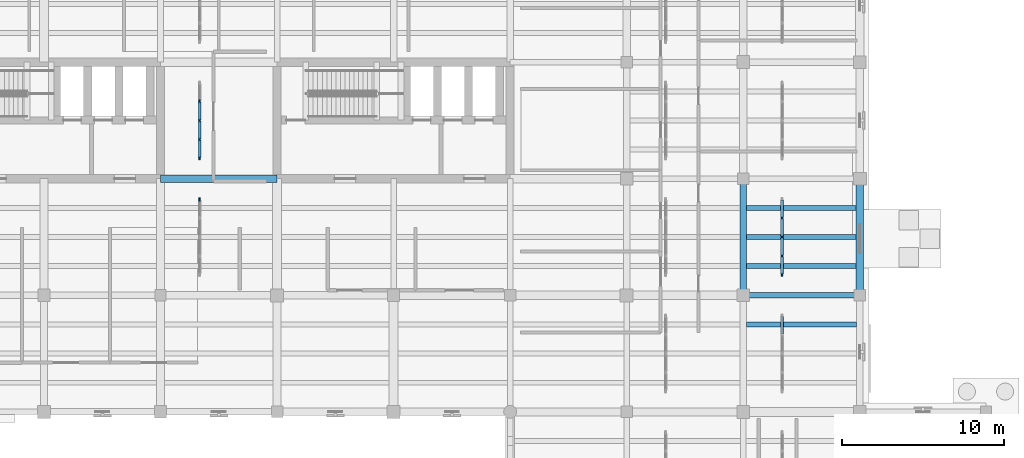
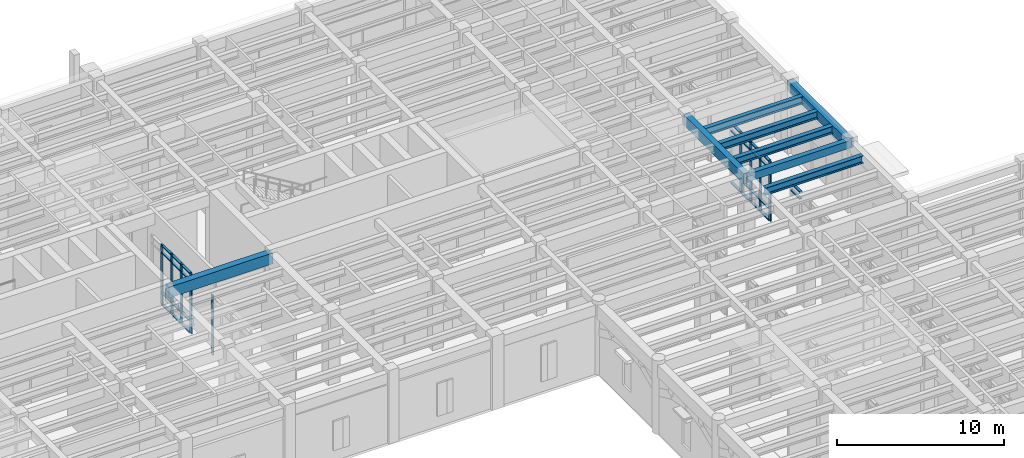
# One storey, part 45 of 100: 39 members, 8 beams, 4 elements without a shape of their own.
"""IFC4 building model written with IfcOpenShell, lengths in metres."""

from ifc_helpers import new_model, si_unit, direction, frame, origin, origin_2d, place, context, subcontext, project, spatial, rectangle, i_section, extrude, material, material_profile, profile_set, type_object, element, aggregate, save


model = new_model("IFC4")

# Units and contexts
model_context = context("Model", 3, precision=1e-05, world=origin(), true_north=direction((0.0, 1.0)))
body_context = subcontext(model_context, "Body", "Model", "MODEL_VIEW")
ifc_project = project(units=[si_unit("LENGTHUNIT", "METRE"), si_unit("AREAUNIT", "SQUARE_METRE"), si_unit("VOLUMEUNIT", "CUBIC_METRE"), si_unit("PLANEANGLEUNIT", "RADIAN"), si_unit("MASSUNIT", "GRAM", prefix="KILO")], contexts=[model_context])

# Site, building, storey
site_placement = place(None, origin())
site = spatial("IfcSite", under=ifc_project, at=site_placement, CompositionType="ELEMENT")
building_placement = place(site_placement, origin())
building = spatial("IfcBuilding", under=site, at=building_placement, Name="Mithqara Police Headquarters", CompositionType="ELEMENT")
storey_placement = place(building_placement, origin())
storey = spatial("IfcBuildingStorey", under=building, at=storey_placement, Name="L00", CompositionType="ELEMENT", Elevation=0.0)

# Beams
ifc_material_1 = material(Name="Steel S355JR", Category="steel")
ifc_material_profile_1 = material_profile(ifc_material_1, i_section(OverallWidth=0.300048828125, OverallDepth=0.550048828125, WebThickness=0.014892578125, FlangeThickness=0.029052734375, FilletRadius=0.027099609375, at=origin_2d()), Name="HEB 550")
ifc_profile_set_1 = profile_set([ifc_material_profile_1], Name="Steel S355JR")
beam_type_1 = type_object("IfcBeamType", Name="BEAM HEB550", PredefinedType="BEAM", material=ifc_profile_set_1)
beam_1_placement = place(storey_placement, frame((159.199951171875, 84.0, 4.844970703125), z_axis=(1.0, 0.0, 0.0), x_axis=(0.0, 1.0, 0.0)))
element("IfcBeam", 1, at=beam_1_placement, inside=storey, type_object=beam_type_1, Name="L00 Composite Steel Joist 23-24/M.3", PredefinedType="BEAM", context=body_context, shape_type="SweptSolid", body=[
    extrude(i_section(OverallWidth=0.300048828125, OverallDepth=0.550048828125, WebThickness=0.014892578125, FlangeThickness=0.029052734375, FilletRadius=0.027099609375, at=origin_2d()), origin(), (0.0, 0.0, 1.0), 6.800048828125),
])
for number, where, z_axis, x_axis, name in (
    (2, (159.199951171875, 87.60009765625, 4.844970703125), (1.0, 0.0, 0.0), (0.0, 1.0, 0.0), "L00 Composite Steel Joist 23-24/N.1"),
    (3, (159.199951171875, 89.39990234375, 4.844970703125), (1.0, 0.0, 0.0), (0.0, 1.0, 0.0), "L00 Composite Steel Joist 23-24/N.2"),
    (4, (159.199951171875, 91.199951171875, 4.844970703125), (1.0, 0.0, 0.0), (0.0, 1.0, 0.0), "L00 Composite Steel Joist 23-24/N.3"),
):
    element("IfcBeam", number, at=place(storey_placement, frame(where, z_axis=z_axis, x_axis=x_axis)), inside=storey, type_object=beam_type_1, Name=name, PredefinedType="BEAM", context=body_context, shape_type="SweptSolid", body=[
        extrude(i_section(OverallWidth=0.300048828125, OverallDepth=0.550048828125, WebThickness=0.014892578125, FlangeThickness=0.029052734375, FilletRadius=0.027099609375, at=origin_2d()), origin(), (0.0, 0.0, 1.0), 6.775146484375),
    ])
ifc_material_2 = material(Name="Concrete C40/50", Category="concrete")
ifc_material_profile_2 = material_profile(ifc_material_2, rectangle(XDim=0.35009765625, YDim=0.550048828125, at=origin_2d()), Name="RC 350x550")
ifc_profile_set_2 = profile_set([ifc_material_profile_2], Name="Concrete C40/50")
beam_type_2 = type_object("IfcBeamType", Name="BEAM RC350X550", PredefinedType="BEAM", material=ifc_profile_set_2)
beam_2_placement = place(storey_placement, frame((159.0, 85.800048828125, 4.844970703125), z_axis=(1.0, 0.0, 0.0), x_axis=(0.0, 1.0, 0.0)))
element("IfcBeam", 5, at=beam_2_placement, inside=storey, type_object=beam_type_2, Name="L00 Girder 23-24/N", PredefinedType="BEAM", context=body_context, shape_type="SweptSolid", body=[
    extrude(rectangle(XDim=0.35009765625, YDim=0.550048828125, at=origin_2d()), origin(), (0.0, 0.0, 1.0), 7.199951171875),
])
ifc_material_profile_3 = material_profile(ifc_material_2, rectangle(XDim=0.39990234375, YDim=0.75, at=origin_2d()), Name="RC 400x750")
ifc_profile_set_3 = profile_set([ifc_material_profile_3], Name="Concrete C40/50")
beam_type_3 = type_object("IfcBeamType", Name="BEAM RC400X750", PredefinedType="BEAM", material=ifc_profile_set_3)
beam_3_placement = place(storey_placement, frame((159.0, 85.800048828125, 4.7451171875), z_axis=(0.0, 1.0, 0.0), x_axis=(-1.0, 0.0, 0.0)))
element("IfcBeam", 6, at=beam_3_placement, inside=storey, type_object=beam_type_3, Name="L00 Girder 23/N-P", PredefinedType="BEAM", context=body_context, shape_type="SweptSolid", body=[
    extrude(rectangle(XDim=0.39990234375, YDim=0.75, at=origin_2d()), origin(), (0.0, 0.0, 1.0), 7.199951171875),
])
ifc_material_profile_4 = material_profile(ifc_material_2, rectangle(XDim=0.449951171875, YDim=0.699951171875, at=origin_2d()), Name="RC 450x700")
ifc_profile_set_4 = profile_set([ifc_material_profile_4], Name="Concrete C40/50")
beam_type_4 = type_object("IfcBeamType", Name="BEAM RC450X700", PredefinedType="BEAM", material=ifc_profile_set_4)
beam_4_placement = place(storey_placement, frame((166.199951171875, 85.800048828125, 4.77001953125), z_axis=(0.0, 1.0, 0.0), x_axis=(-1.0, 0.0, 0.0)))
element("IfcBeam", 7, at=beam_4_placement, inside=storey, type_object=beam_type_4, Name="L00 Girder 24/N-P", PredefinedType="BEAM", context=body_context, shape_type="SweptSolid", body=[
    extrude(rectangle(XDim=0.449951171875, YDim=0.699951171875, at=origin_2d()), origin(), (0.0, 0.0, 1.0), 7.199951171875),
])
ifc_material_profile_5 = material_profile(ifc_material_2, rectangle(XDim=0.449951171875, YDim=0.800048828125, at=origin_2d()), Name="RC 450x800")
ifc_profile_set_5 = profile_set([ifc_material_profile_5], Name="Concrete C40/50")
beam_type_5 = type_object("IfcBeamType", Name="BEAM RC450X800", PredefinedType="BEAM", material=ifc_profile_set_5)
beam_5_placement = place(storey_placement, frame((123.0, 93.0, 4.719970703125), z_axis=(1.0, 0.0, 0.0), x_axis=(0.0, 1.0, 0.0)))
element("IfcBeam", 8, at=beam_5_placement, inside=storey, type_object=beam_type_5, Name="L00 Girder 18-19/P", PredefinedType="BEAM", context=body_context, shape_type="SweptSolid", body=[
    extrude(rectangle(XDim=0.449951171875, YDim=0.800048828125, at=origin_2d()), origin(), (0.0, 0.0, 1.0), 7.199951171875),
])

# Curtain wall, member
ifc_material_3 = material(Name="Bronze anodised aluminium 6063-T6", Category="aluminium")
curtain_wall_type = type_object("IfcCurtainWallType", Name="CURTAIN WALL 4700X4400", PredefinedType="USERDEFINED", material=ifc_material_3)
curtain_wall_1_placement = place(storey_placement, origin())
curtain_wall_1 = element("IfcCurtainWall", 9, at=curtain_wall_1_placement, inside=storey, type_object=curtain_wall_type, Name="L00 Unitised Glazing CW-14 (CW-INT-L00-X17-Y12-0)", ObjectType="UNITISED GLAZING", PredefinedType="USERDEFINED")
ifc_material_profile_6 = material_profile(ifc_material_3, rectangle(XDim=0.074951171875, YDim=0.219970703125, at=origin_2d()), Name="CWM 75x220")
ifc_profile_set_6 = profile_set([ifc_material_profile_6], Name="Bronze anodised aluminium 6063-T6")
member_type_1 = type_object("IfcMemberType", Name="CWMULLION 75X220", PredefinedType="MULLION", material=ifc_profile_set_6)
member_1_placement = place(storey_placement, frame((125.39990234375, 91.71240234375, 0.0), z_axis=(0.0, 0.0, 1.0), x_axis=(-1.0, 0.0, 0.0)))
member_1 = element("IfcMember", 10, at=member_1_placement, type_object=member_type_1, Name="CW-14 mullion 5", PredefinedType="MULLION", context=body_context, shape_type="SweptSolid", body=[
    extrude(rectangle(XDim=0.074951171875, YDim=0.219970703125, at=origin_2d()), origin(), (0.0, 0.0, 1.0), 4.39990234375),
])
aggregate(curtain_wall_1, [member_1])

# Curtain wall, members
curtain_wall_2_placement = place(storey_placement, origin())
curtain_wall_2 = element("IfcCurtainWall", 11, at=curtain_wall_2_placement, inside=storey, type_object=curtain_wall_type, Name="L00 Unitised Glazing CW-14 (CW-INT-L00-X17-Y13-0)", ObjectType="UNITISED GLAZING", PredefinedType="USERDEFINED")
member_2_placement = place(storey_placement, frame((125.39990234375, 94.28759765625, 0.0), z_axis=(0.0, 0.0, 1.0), x_axis=(-1.0, 0.0, 0.0)))
member_2 = element("IfcMember", 12, at=member_2_placement, type_object=member_type_1, Name="CW-14 mullion 1", PredefinedType="MULLION", context=body_context, shape_type="SweptSolid", body=[
    extrude(rectangle(XDim=0.074951171875, YDim=0.219970703125, at=origin_2d()), origin(), (0.0, 0.0, 1.0), 4.39990234375),
])
member_3_placement = place(storey_placement, frame((125.39990234375, 95.425048828125, 0.0), z_axis=(0.0, 0.0, 1.0), x_axis=(-1.0, 0.0, 0.0)))
member_3 = element("IfcMember", 13, at=member_3_placement, type_object=member_type_1, Name="CW-14 mullion 2", PredefinedType="MULLION", context=body_context, shape_type="SweptSolid", body=[
    extrude(rectangle(XDim=0.074951171875, YDim=0.219970703125, at=origin_2d()), origin(), (0.0, 0.0, 1.0), 4.39990234375),
])
member_4_placement = place(storey_placement, frame((125.39990234375, 96.60009765625, 0.0), z_axis=(0.0, 0.0, 1.0), x_axis=(-1.0, 0.0, 0.0)))
member_4 = element("IfcMember", 14, at=member_4_placement, type_object=member_type_1, Name="CW-14 mullion 3", PredefinedType="MULLION", context=body_context, shape_type="SweptSolid", body=[
    extrude(rectangle(XDim=0.074951171875, YDim=0.219970703125, at=origin_2d()), origin(), (0.0, 0.0, 1.0), 4.39990234375),
])
member_5_placement = place(storey_placement, frame((125.39990234375, 97.77490234375, 0.0), z_axis=(0.0, 0.0, 1.0), x_axis=(-1.0, 0.0, 0.0)))
member_5 = element("IfcMember", 15, at=member_5_placement, type_object=member_type_1, Name="CW-14 mullion 4", PredefinedType="MULLION", context=body_context, shape_type="SweptSolid", body=[
    extrude(rectangle(XDim=0.074951171875, YDim=0.219970703125, at=origin_2d()), origin(), (0.0, 0.0, 1.0), 4.39990234375),
])

curtain_wall_3_placement = place(storey_placement, origin())
curtain_wall_3 = element("IfcCurtainWall", 16, at=curtain_wall_3_placement, inside=storey, type_object=curtain_wall_type, Name="L00 Unitised Glazing CW-14 (CW-INT-L00-X22-Y12-0)", ObjectType="UNITISED GLAZING", PredefinedType="USERDEFINED")
member_6_placement = place(storey_placement, frame((161.39990234375, 87.08740234375, 0.0), z_axis=(0.0, 0.0, 1.0), x_axis=(-1.0, 0.0, 0.0)))
member_6 = element("IfcMember", 17, at=member_6_placement, type_object=member_type_1, Name="CW-14 mullion 1", PredefinedType="MULLION", context=body_context, shape_type="SweptSolid", body=[
    extrude(rectangle(XDim=0.074951171875, YDim=0.219970703125, at=origin_2d()), origin(), (0.0, 0.0, 1.0), 4.39990234375),
])
member_7_placement = place(storey_placement, frame((161.39990234375, 88.22509765625, 0.0), z_axis=(0.0, 0.0, 1.0), x_axis=(-1.0, 0.0, 0.0)))
member_7 = element("IfcMember", 18, at=member_7_placement, type_object=member_type_1, Name="CW-14 mullion 2", PredefinedType="MULLION", context=body_context, shape_type="SweptSolid", body=[
    extrude(rectangle(XDim=0.074951171875, YDim=0.219970703125, at=origin_2d()), origin(), (0.0, 0.0, 1.0), 4.39990234375),
])
member_8_placement = place(storey_placement, frame((161.39990234375, 89.39990234375, 0.0), z_axis=(0.0, 0.0, 1.0), x_axis=(-1.0, 0.0, 0.0)))
member_8 = element("IfcMember", 19, at=member_8_placement, type_object=member_type_1, Name="CW-14 mullion 3", PredefinedType="MULLION", context=body_context, shape_type="SweptSolid", body=[
    extrude(rectangle(XDim=0.074951171875, YDim=0.219970703125, at=origin_2d()), origin(), (0.0, 0.0, 1.0), 4.39990234375),
])
member_9_placement = place(storey_placement, frame((161.39990234375, 90.574951171875, 0.0), z_axis=(0.0, 0.0, 1.0), x_axis=(-1.0, 0.0, 0.0)))
member_9 = element("IfcMember", 20, at=member_9_placement, type_object=member_type_1, Name="CW-14 mullion 4", PredefinedType="MULLION", context=body_context, shape_type="SweptSolid", body=[
    extrude(rectangle(XDim=0.074951171875, YDim=0.219970703125, at=origin_2d()), origin(), (0.0, 0.0, 1.0), 4.39990234375),
])

# Member
ifc_material_profile_7 = material_profile(ifc_material_3, rectangle(XDim=0.179931640625, YDim=0.074951171875, at=origin_2d()), Name="CWT 180x75")
ifc_profile_set_7 = profile_set([ifc_material_profile_7], Name="Bronze anodised aluminium 6063-T6")
member_type_2 = type_object("IfcMemberType", Name="CWTRANSOM 180X75", PredefinedType="USERDEFINED", material=ifc_profile_set_7)
member_10_placement = place(storey_placement, frame((125.39990234375, 94.324951171875, 0.03759765625), z_axis=(0.0, 1.0, 0.0), x_axis=(-1.0, 0.0, 0.0)))
member_10 = element("IfcMember", 21, at=member_10_placement, type_object=member_type_2, Name="CW-14 transom 1.1", ObjectType="TRANSOM", PredefinedType="USERDEFINED", context=body_context, shape_type="SweptSolid", body=[
    extrude(rectangle(XDim=0.179931640625, YDim=0.074951171875, at=origin_2d()), origin(), (0.0, 0.0, 1.0), 1.0625),
])

member_11_placement = place(storey_placement, frame((125.39990234375, 94.324951171875, 0.89990234375), z_axis=(0.0, 1.0, 0.0), x_axis=(-1.0, 0.0, 0.0)))
member_11 = element("IfcMember", 22, at=member_11_placement, type_object=member_type_2, Name="CW-14 transom 1.2", ObjectType="TRANSOM", PredefinedType="USERDEFINED", context=body_context, shape_type="SweptSolid", body=[
    extrude(rectangle(XDim=0.179931640625, YDim=0.074951171875, at=origin_2d()), origin(), (0.0, 0.0, 1.0), 1.0625),
])

member_12_placement = place(storey_placement, frame((125.39990234375, 94.324951171875, 3.85009765625), z_axis=(0.0, 1.0, 0.0), x_axis=(-1.0, 0.0, 0.0)))
member_12 = element("IfcMember", 23, at=member_12_placement, type_object=member_type_2, Name="CW-14 transom 1.3", ObjectType="TRANSOM", PredefinedType="USERDEFINED", context=body_context, shape_type="SweptSolid", body=[
    extrude(rectangle(XDim=0.179931640625, YDim=0.074951171875, at=origin_2d()), origin(), (0.0, 0.0, 1.0), 1.0625),
])

member_13_placement = place(storey_placement, frame((125.39990234375, 94.324951171875, 4.362548828125), z_axis=(0.0, 1.0, 0.0), x_axis=(-1.0, 0.0, 0.0)))
member_13 = element("IfcMember", 24, at=member_13_placement, type_object=member_type_2, Name="CW-14 transom 1.4", ObjectType="TRANSOM", PredefinedType="USERDEFINED", context=body_context, shape_type="SweptSolid", body=[
    extrude(rectangle(XDim=0.179931640625, YDim=0.074951171875, at=origin_2d()), origin(), (0.0, 0.0, 1.0), 1.0625),
])

member_14_placement = place(storey_placement, frame((125.39990234375, 95.46240234375, 0.03759765625), z_axis=(0.0, 1.0, 0.0), x_axis=(-1.0, 0.0, 0.0)))
member_14 = element("IfcMember", 25, at=member_14_placement, type_object=member_type_2, Name="CW-14 transom 2.1", ObjectType="TRANSOM", PredefinedType="USERDEFINED", context=body_context, shape_type="SweptSolid", body=[
    extrude(rectangle(XDim=0.179931640625, YDim=0.074951171875, at=origin_2d()), origin(), (0.0, 0.0, 1.0), 1.10009765625),
])

member_15_placement = place(storey_placement, frame((125.39990234375, 95.46240234375, 0.89990234375), z_axis=(0.0, 1.0, 0.0), x_axis=(-1.0, 0.0, 0.0)))
member_15 = element("IfcMember", 26, at=member_15_placement, type_object=member_type_2, Name="CW-14 transom 2.2", ObjectType="TRANSOM", PredefinedType="USERDEFINED", context=body_context, shape_type="SweptSolid", body=[
    extrude(rectangle(XDim=0.179931640625, YDim=0.074951171875, at=origin_2d()), origin(), (0.0, 0.0, 1.0), 1.10009765625),
])

member_16_placement = place(storey_placement, frame((125.39990234375, 95.46240234375, 3.85009765625), z_axis=(0.0, 1.0, 0.0), x_axis=(-1.0, 0.0, 0.0)))
member_16 = element("IfcMember", 27, at=member_16_placement, type_object=member_type_2, Name="CW-14 transom 2.3", ObjectType="TRANSOM", PredefinedType="USERDEFINED", context=body_context, shape_type="SweptSolid", body=[
    extrude(rectangle(XDim=0.179931640625, YDim=0.074951171875, at=origin_2d()), origin(), (0.0, 0.0, 1.0), 1.10009765625),
])

member_17_placement = place(storey_placement, frame((125.39990234375, 95.46240234375, 4.362548828125), z_axis=(0.0, 1.0, 0.0), x_axis=(-1.0, 0.0, 0.0)))
member_17 = element("IfcMember", 28, at=member_17_placement, type_object=member_type_2, Name="CW-14 transom 2.4", ObjectType="TRANSOM", PredefinedType="USERDEFINED", context=body_context, shape_type="SweptSolid", body=[
    extrude(rectangle(XDim=0.179931640625, YDim=0.074951171875, at=origin_2d()), origin(), (0.0, 0.0, 1.0), 1.10009765625),
])

member_18_placement = place(storey_placement, frame((125.39990234375, 96.637451171875, 0.03759765625), z_axis=(0.0, 1.0, 0.0), x_axis=(-1.0, 0.0, 0.0)))
member_18 = element("IfcMember", 29, at=member_18_placement, type_object=member_type_2, Name="CW-14 transom 3.1", ObjectType="TRANSOM", PredefinedType="USERDEFINED", context=body_context, shape_type="SweptSolid", body=[
    extrude(rectangle(XDim=0.179931640625, YDim=0.074951171875, at=origin_2d()), origin(), (0.0, 0.0, 1.0), 1.10009765625),
])

member_19_placement = place(storey_placement, frame((125.39990234375, 96.637451171875, 0.89990234375), z_axis=(0.0, 1.0, 0.0), x_axis=(-1.0, 0.0, 0.0)))
member_19 = element("IfcMember", 30, at=member_19_placement, type_object=member_type_2, Name="CW-14 transom 3.2", ObjectType="TRANSOM", PredefinedType="USERDEFINED", context=body_context, shape_type="SweptSolid", body=[
    extrude(rectangle(XDim=0.179931640625, YDim=0.074951171875, at=origin_2d()), origin(), (0.0, 0.0, 1.0), 1.10009765625),
])

member_20_placement = place(storey_placement, frame((125.39990234375, 96.637451171875, 3.85009765625), z_axis=(0.0, 1.0, 0.0), x_axis=(-1.0, 0.0, 0.0)))
member_20 = element("IfcMember", 31, at=member_20_placement, type_object=member_type_2, Name="CW-14 transom 3.3", ObjectType="TRANSOM", PredefinedType="USERDEFINED", context=body_context, shape_type="SweptSolid", body=[
    extrude(rectangle(XDim=0.179931640625, YDim=0.074951171875, at=origin_2d()), origin(), (0.0, 0.0, 1.0), 1.10009765625),
])

member_21_placement = place(storey_placement, frame((125.39990234375, 96.637451171875, 4.362548828125), z_axis=(0.0, 1.0, 0.0), x_axis=(-1.0, 0.0, 0.0)))
member_21 = element("IfcMember", 32, at=member_21_placement, type_object=member_type_2, Name="CW-14 transom 3.4", ObjectType="TRANSOM", PredefinedType="USERDEFINED", context=body_context, shape_type="SweptSolid", body=[
    extrude(rectangle(XDim=0.179931640625, YDim=0.074951171875, at=origin_2d()), origin(), (0.0, 0.0, 1.0), 1.10009765625),
])

aggregate(curtain_wall_2, [member_2, member_3, member_4, member_5, member_10, member_11, member_12, member_13, member_14, member_15, member_16, member_17, member_18, member_19, member_20, member_21])

# Curtain wall, members
curtain_wall_4_placement = place(storey_placement, origin())
curtain_wall_4 = element("IfcCurtainWall", 33, at=curtain_wall_4_placement, inside=storey, type_object=curtain_wall_type, Name="L00 Unitised Glazing CW-14 (CW-INT-L00-X22-Y11-0)", ObjectType="UNITISED GLAZING", PredefinedType="USERDEFINED")
member_22_placement = place(storey_placement, frame((161.39990234375, 83.41259765625, 3.85009765625), z_axis=(0.0, 1.0, 0.0), x_axis=(-1.0, 0.0, 0.0)))
member_22 = element("IfcMember", 34, at=member_22_placement, type_object=member_type_2, Name="CW-14 transom 4.3", ObjectType="TRANSOM", PredefinedType="USERDEFINED", context=body_context, shape_type="SweptSolid", body=[
    extrude(rectangle(XDim=0.179931640625, YDim=0.074951171875, at=origin_2d()), origin(), (0.0, 0.0, 1.0), 1.0625),
])
member_23_placement = place(storey_placement, frame((161.39990234375, 83.41259765625, 4.362548828125), z_axis=(0.0, 1.0, 0.0), x_axis=(-1.0, 0.0, 0.0)))
member_23 = element("IfcMember", 35, at=member_23_placement, type_object=member_type_2, Name="CW-14 transom 4.4", ObjectType="TRANSOM", PredefinedType="USERDEFINED", context=body_context, shape_type="SweptSolid", body=[
    extrude(rectangle(XDim=0.179931640625, YDim=0.074951171875, at=origin_2d()), origin(), (0.0, 0.0, 1.0), 1.0625),
])
aggregate(curtain_wall_4, [member_22, member_23])

# Member
member_24_placement = place(storey_placement, frame((161.39990234375, 87.125, 0.03759765625), z_axis=(0.0, 1.0, 0.0), x_axis=(-1.0, 0.0, 0.0)))
member_24 = element("IfcMember", 36, at=member_24_placement, type_object=member_type_2, Name="CW-14 transom 1.1", ObjectType="TRANSOM", PredefinedType="USERDEFINED", context=body_context, shape_type="SweptSolid", body=[
    extrude(rectangle(XDim=0.179931640625, YDim=0.074951171875, at=origin_2d()), origin(), (0.0, 0.0, 1.0), 1.0625),
])

member_25_placement = place(storey_placement, frame((161.39990234375, 87.125, 0.89990234375), z_axis=(0.0, 1.0, 0.0), x_axis=(-1.0, 0.0, 0.0)))
member_25 = element("IfcMember", 37, at=member_25_placement, type_object=member_type_2, Name="CW-14 transom 1.2", ObjectType="TRANSOM", PredefinedType="USERDEFINED", context=body_context, shape_type="SweptSolid", body=[
    extrude(rectangle(XDim=0.179931640625, YDim=0.074951171875, at=origin_2d()), origin(), (0.0, 0.0, 1.0), 1.0625),
])

member_26_placement = place(storey_placement, frame((161.39990234375, 87.125, 3.85009765625), z_axis=(0.0, 1.0, 0.0), x_axis=(-1.0, 0.0, 0.0)))
member_26 = element("IfcMember", 38, at=member_26_placement, type_object=member_type_2, Name="CW-14 transom 1.3", ObjectType="TRANSOM", PredefinedType="USERDEFINED", context=body_context, shape_type="SweptSolid", body=[
    extrude(rectangle(XDim=0.179931640625, YDim=0.074951171875, at=origin_2d()), origin(), (0.0, 0.0, 1.0), 1.0625),
])

member_27_placement = place(storey_placement, frame((161.39990234375, 87.125, 4.362548828125), z_axis=(0.0, 1.0, 0.0), x_axis=(-1.0, 0.0, 0.0)))
member_27 = element("IfcMember", 39, at=member_27_placement, type_object=member_type_2, Name="CW-14 transom 1.4", ObjectType="TRANSOM", PredefinedType="USERDEFINED", context=body_context, shape_type="SweptSolid", body=[
    extrude(rectangle(XDim=0.179931640625, YDim=0.074951171875, at=origin_2d()), origin(), (0.0, 0.0, 1.0), 1.0625),
])

member_28_placement = place(storey_placement, frame((161.39990234375, 88.262451171875, 0.03759765625), z_axis=(0.0, 1.0, 0.0), x_axis=(-1.0, 0.0, 0.0)))
member_28 = element("IfcMember", 40, at=member_28_placement, type_object=member_type_2, Name="CW-14 transom 2.1", ObjectType="TRANSOM", PredefinedType="USERDEFINED", context=body_context, shape_type="SweptSolid", body=[
    extrude(rectangle(XDim=0.179931640625, YDim=0.074951171875, at=origin_2d()), origin(), (0.0, 0.0, 1.0), 1.10009765625),
])

member_29_placement = place(storey_placement, frame((161.39990234375, 88.262451171875, 0.89990234375), z_axis=(0.0, 1.0, 0.0), x_axis=(-1.0, 0.0, 0.0)))
member_29 = element("IfcMember", 41, at=member_29_placement, type_object=member_type_2, Name="CW-14 transom 2.2", ObjectType="TRANSOM", PredefinedType="USERDEFINED", context=body_context, shape_type="SweptSolid", body=[
    extrude(rectangle(XDim=0.179931640625, YDim=0.074951171875, at=origin_2d()), origin(), (0.0, 0.0, 1.0), 1.10009765625),
])

member_30_placement = place(storey_placement, frame((161.39990234375, 88.262451171875, 3.85009765625), z_axis=(0.0, 1.0, 0.0), x_axis=(-1.0, 0.0, 0.0)))
member_30 = element("IfcMember", 42, at=member_30_placement, type_object=member_type_2, Name="CW-14 transom 2.3", ObjectType="TRANSOM", PredefinedType="USERDEFINED", context=body_context, shape_type="SweptSolid", body=[
    extrude(rectangle(XDim=0.179931640625, YDim=0.074951171875, at=origin_2d()), origin(), (0.0, 0.0, 1.0), 1.10009765625),
])

member_31_placement = place(storey_placement, frame((161.39990234375, 88.262451171875, 4.362548828125), z_axis=(0.0, 1.0, 0.0), x_axis=(-1.0, 0.0, 0.0)))
member_31 = element("IfcMember", 43, at=member_31_placement, type_object=member_type_2, Name="CW-14 transom 2.4", ObjectType="TRANSOM", PredefinedType="USERDEFINED", context=body_context, shape_type="SweptSolid", body=[
    extrude(rectangle(XDim=0.179931640625, YDim=0.074951171875, at=origin_2d()), origin(), (0.0, 0.0, 1.0), 1.10009765625),
])

member_32_placement = place(storey_placement, frame((161.39990234375, 89.4375, 0.03759765625), z_axis=(0.0, 1.0, 0.0), x_axis=(-1.0, 0.0, 0.0)))
member_32 = element("IfcMember", 44, at=member_32_placement, type_object=member_type_2, Name="CW-14 transom 3.1", ObjectType="TRANSOM", PredefinedType="USERDEFINED", context=body_context, shape_type="SweptSolid", body=[
    extrude(rectangle(XDim=0.179931640625, YDim=0.074951171875, at=origin_2d()), origin(), (0.0, 0.0, 1.0), 1.10009765625),
])

member_33_placement = place(storey_placement, frame((161.39990234375, 89.4375, 0.89990234375), z_axis=(0.0, 1.0, 0.0), x_axis=(-1.0, 0.0, 0.0)))
member_33 = element("IfcMember", 45, at=member_33_placement, type_object=member_type_2, Name="CW-14 transom 3.2", ObjectType="TRANSOM", PredefinedType="USERDEFINED", context=body_context, shape_type="SweptSolid", body=[
    extrude(rectangle(XDim=0.179931640625, YDim=0.074951171875, at=origin_2d()), origin(), (0.0, 0.0, 1.0), 1.10009765625),
])

member_34_placement = place(storey_placement, frame((161.39990234375, 89.4375, 3.85009765625), z_axis=(0.0, 1.0, 0.0), x_axis=(-1.0, 0.0, 0.0)))
member_34 = element("IfcMember", 46, at=member_34_placement, type_object=member_type_2, Name="CW-14 transom 3.3", ObjectType="TRANSOM", PredefinedType="USERDEFINED", context=body_context, shape_type="SweptSolid", body=[
    extrude(rectangle(XDim=0.179931640625, YDim=0.074951171875, at=origin_2d()), origin(), (0.0, 0.0, 1.0), 1.10009765625),
])

member_35_placement = place(storey_placement, frame((161.39990234375, 89.4375, 4.362548828125), z_axis=(0.0, 1.0, 0.0), x_axis=(-1.0, 0.0, 0.0)))
member_35 = element("IfcMember", 47, at=member_35_placement, type_object=member_type_2, Name="CW-14 transom 3.4", ObjectType="TRANSOM", PredefinedType="USERDEFINED", context=body_context, shape_type="SweptSolid", body=[
    extrude(rectangle(XDim=0.179931640625, YDim=0.074951171875, at=origin_2d()), origin(), (0.0, 0.0, 1.0), 1.10009765625),
])

member_36_placement = place(storey_placement, frame((161.39990234375, 90.612548828125, 0.03759765625), z_axis=(0.0, 1.0, 0.0), x_axis=(-1.0, 0.0, 0.0)))
member_36 = element("IfcMember", 48, at=member_36_placement, type_object=member_type_2, Name="CW-14 transom 4.1", ObjectType="TRANSOM", PredefinedType="USERDEFINED", context=body_context, shape_type="SweptSolid", body=[
    extrude(rectangle(XDim=0.179931640625, YDim=0.074951171875, at=origin_2d()), origin(), (0.0, 0.0, 1.0), 1.0625),
])

member_37_placement = place(storey_placement, frame((161.39990234375, 90.612548828125, 0.89990234375), z_axis=(0.0, 1.0, 0.0), x_axis=(-1.0, 0.0, 0.0)))
member_37 = element("IfcMember", 49, at=member_37_placement, type_object=member_type_2, Name="CW-14 transom 4.2", ObjectType="TRANSOM", PredefinedType="USERDEFINED", context=body_context, shape_type="SweptSolid", body=[
    extrude(rectangle(XDim=0.179931640625, YDim=0.074951171875, at=origin_2d()), origin(), (0.0, 0.0, 1.0), 1.0625),
])

member_38_placement = place(storey_placement, frame((161.39990234375, 90.612548828125, 3.85009765625), z_axis=(0.0, 1.0, 0.0), x_axis=(-1.0, 0.0, 0.0)))
member_38 = element("IfcMember", 50, at=member_38_placement, type_object=member_type_2, Name="CW-14 transom 4.3", ObjectType="TRANSOM", PredefinedType="USERDEFINED", context=body_context, shape_type="SweptSolid", body=[
    extrude(rectangle(XDim=0.179931640625, YDim=0.074951171875, at=origin_2d()), origin(), (0.0, 0.0, 1.0), 1.0625),
])

member_39_placement = place(storey_placement, frame((161.39990234375, 90.612548828125, 4.362548828125), z_axis=(0.0, 1.0, 0.0), x_axis=(-1.0, 0.0, 0.0)))
member_39 = element("IfcMember", 51, at=member_39_placement, type_object=member_type_2, Name="CW-14 transom 4.4", ObjectType="TRANSOM", PredefinedType="USERDEFINED", context=body_context, shape_type="SweptSolid", body=[
    extrude(rectangle(XDim=0.179931640625, YDim=0.074951171875, at=origin_2d()), origin(), (0.0, 0.0, 1.0), 1.0625),
])

aggregate(curtain_wall_3, [member_6, member_7, member_8, member_9, member_24, member_25, member_26, member_27, member_28, member_29, member_30, member_31, member_32, member_33, member_34, member_35, member_36, member_37, member_38, member_39])

save(model, "model.ifc")
